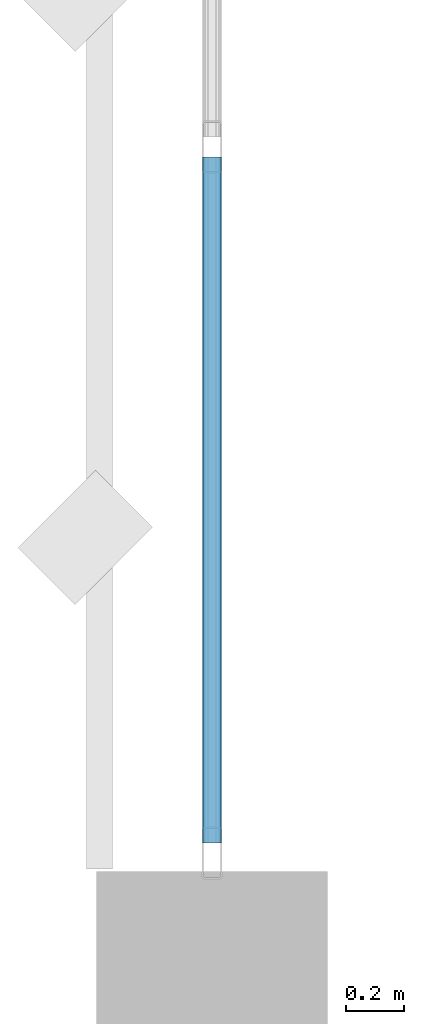
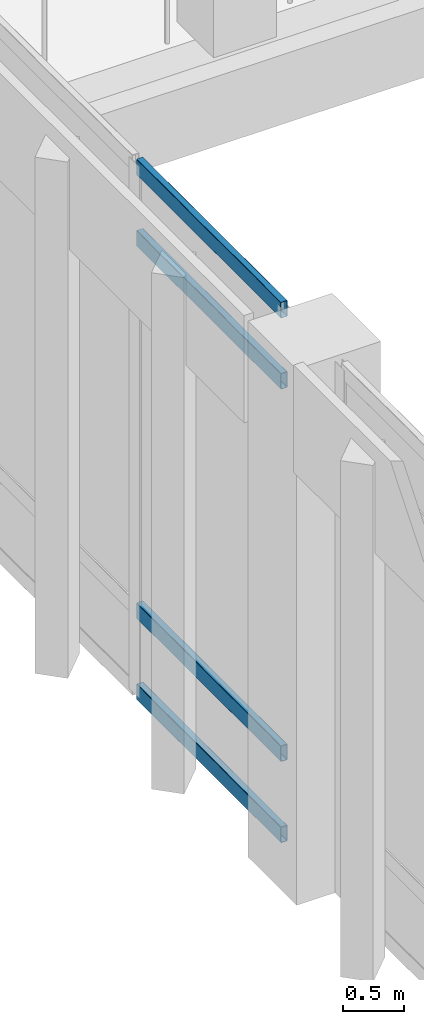
# One storey, part 13 of 180: 4 members, 1 element without a shape of its own.
"""IFC4 building model written with IfcOpenShell, lengths in metres."""

import ifcopenshell
import ifcopenshell.guid

model = None  # the IFC model being written
_history = None  # IfcOwnerHistory: only IFC2X3 demands one
_inside = {}  # id of a spatial element -> (the spatial element, [elements in it])
_under = {}  # id of a project, library or spatial element -> (it, [spatial elements below it])
_declared = {}  # id of a project -> (the project, [libraries it declares])
_typed = {}  # id of a type object -> (the type object, [elements of that type])
_made_of = {}  # id of a material, layer set ... -> (it, [elements and type objects made of it])


def new_model(schema):
    """Start an empty IFC model of exactly this schema.

    Asked for "IFC4X3", IfcOpenShell would pick the latest addendum, in which some entities
    have other attributes; the version numbers below select the first issue.
    IFC2X3 requires an IfcOwnerHistory on every rooted entity: one is made here for all.
    """
    global model, _history
    if schema == "IFC4X3":
        model = ifcopenshell.file(schema_version=(4, 3, 0, 0))
    else:
        model = ifcopenshell.file(schema=schema)
    _inside.clear()
    _under.clear()
    _declared.clear()
    _typed.clear()
    _made_of.clear()
    _history = None
    if model.schema == "IFC2X3":
        org = make("IfcOrganization", Name="unknown")
        user = make(
            "IfcPersonAndOrganization",
            ThePerson=make("IfcPerson", FamilyName="unknown"),
            TheOrganization=org,
        )
        app = make(
            "IfcApplication",
            ApplicationDeveloper=org,
            Version="unknown",
            ApplicationFullName="unknown",
            ApplicationIdentifier="unknown",
        )
        _history = make(
            "IfcOwnerHistory",
            OwningUser=user,
            OwningApplication=app,
            ChangeAction="ADDED",
            CreationDate=0,
        )
    return model


def make(cls, **values):
    """One entity of the class cls with the attributes given. An attribute that is None is left unset."""
    return model.create_entity(
        cls, **{name: value for name, value in values.items() if value is not None}
    )


def rooted(cls, **values):
    """An entity with a GlobalId (a new one), such as an element, a storey or a relation."""
    return make(cls, GlobalId=ifcopenshell.guid.new(), OwnerHistory=_history, **values)


def si_unit(unit_type, name, prefix=None):
    """IfcSIUnit, for example si_unit("LENGTHUNIT", "METRE", prefix="MILLI")."""
    return make("IfcSIUnit", UnitType=unit_type, Prefix=prefix, Name=name)


def assignment(units):
    """IfcUnitAssignment: the units of a project."""
    return None if units is None else make("IfcUnitAssignment", Units=units)


def point(xyz):
    """IfcCartesianPoint."""
    return None if xyz is None else make("IfcCartesianPoint", Coordinates=xyz)


def direction(xyz):
    """IfcDirection."""
    return None if xyz is None else make("IfcDirection", DirectionRatios=xyz)


def frame(location, z_axis=None, x_axis=None):
    """IfcAxis2Placement3D, a coordinate frame: its origin and axes. An axis left out is left unset."""
    return make(
        "IfcAxis2Placement3D",
        Location=point(location),
        Axis=direction(z_axis),
        RefDirection=direction(x_axis),
    )


def frame_2d(location, x_axis=None):
    """IfcAxis2Placement2D, a coordinate frame in the plane: its origin and x axis."""
    return make(
        "IfcAxis2Placement2D", Location=point(location), RefDirection=direction(x_axis)
    )


def origin():
    """The frame at (0, 0, 0) with its axes left unset."""
    return frame((0.0, 0.0, 0.0))


def origin_2d():
    """The frame at (0, 0) in the plane with its x axis left unset."""
    return frame_2d((0.0, 0.0))


def place(relative_to, where):
    """IfcLocalPlacement: puts the frame where relative to a parent placement (None: the world)."""
    return make(
        "IfcLocalPlacement", PlacementRelTo=relative_to, RelativePlacement=where
    )


def context(
    kind, dimensions, precision=None, world=None, true_north=None, identifier=None
):
    """IfcGeometricRepresentationContext, for example the 3D "Model" context."""
    return make(
        "IfcGeometricRepresentationContext",
        ContextIdentifier=identifier,
        ContextType=kind,
        CoordinateSpaceDimension=dimensions,
        Precision=precision,
        WorldCoordinateSystem=world,
        TrueNorth=true_north,
    )


def subcontext(parent, identifier, kind, view, scale=None):
    """IfcGeometricRepresentationSubContext, for example "Body" below "Model"."""
    return make(
        "IfcGeometricRepresentationSubContext",
        ContextIdentifier=identifier,
        ContextType=kind,
        ParentContext=parent,
        TargetScale=scale,
        TargetView=view,
    )


def project(units=None, contexts=None):
    """IfcProject with its units and contexts."""
    return rooted(
        "IfcProject",
        Name="project",
        RepresentationContexts=contexts,
        UnitsInContext=assignment(units),
    )


def spatial(cls, under=None, at=None, **own):
    """A site, building, storey or space (cls), placed at a placement, below another one or the project."""
    s = rooted(cls, ObjectPlacement=at, **own)
    if under is not None:
        _under.setdefault(under.id(), (under, []))[1].append(s)
    return s


def profile(cls, at=None, kind="AREA", **sizes):
    """A parametric profile (cls). Its sizes go by their IFC names, for example OverallWidth=200.0."""
    return make(cls, ProfileType=kind, Position=at, **sizes)


def hollow_rectangle(**sizes):
    """IfcRectangleHollowProfileDef."""
    return profile("IfcRectangleHollowProfileDef", **sizes)


def extrude(swept, where, along, depth):
    """IfcExtrudedAreaSolid: the profile swept, set in the frame where, extruded along a direction by depth."""
    return make(
        "IfcExtrudedAreaSolid",
        SweptArea=swept,
        Position=where,
        ExtrudedDirection=direction(along),
        Depth=depth,
    )


def shape(context_of_items, identifier, shape_type, items):
    """IfcShapeRepresentation: the items that make up one representation, for example the "Body"."""
    return make(
        "IfcShapeRepresentation",
        ContextOfItems=context_of_items,
        RepresentationIdentifier=identifier,
        RepresentationType=shape_type,
        Items=items,
    )


def material(Name=None, Category=None):
    """IfcMaterial."""
    return make("IfcMaterial", Name=Name, Category=Category)


def material_profile(
    of_material, cross_section, Name=None, Category=None, Priority=None
):
    """IfcMaterialProfile: a cross section and its material."""
    return make(
        "IfcMaterialProfile",
        Name=Name,
        Material=of_material,
        Profile=cross_section,
        Priority=Priority,
        Category=Category,
    )


def profile_set(profiles, Name=None, composite=None):
    """IfcMaterialProfileSet."""
    return make(
        "IfcMaterialProfileSet",
        Name=Name,
        MaterialProfiles=profiles,
        CompositeProfile=composite,
    )


def made_of(thing, what):
    """Note that an element or type object is made of a material, layer set ...; save() writes the relation."""
    if what is not None:
        _made_of.setdefault(what.id(), (what, []))[1].append(thing)
    return thing


def type_object(cls, material=None, **own):
    """A type object (cls), such as IfcWallType, which elements share."""
    return made_of(rooted(cls, **own), material)


def element(
    cls,
    number,
    at=None,
    inside=None,
    cuts=None,
    type_object=None,
    material=None,
    context=None,
    identifier="Body",
    shape_type=None,
    held_by="IfcProductDefinitionShape",
    body=None,
    shapes=None,
    **own,
):
    """One element of the class cls, such as IfcWall. Its Tag is "e" and its number.

    at: its placement. inside: the storey or other place that contains it. cuts: it is an
    opening in that element (IfcRelVoidsElement). A single representation is given by context,
    identifier, shape_type and body (its items); several are given by shapes. held_by: the class
    of the entity that holds the representations. save() writes the other relations.
    """
    e = rooted(cls, Tag="e%d" % number, ObjectPlacement=at, **own)
    if body is not None:
        shapes = [shape(context, identifier, shape_type, body)]
    if shapes is not None:
        e.Representation = make(held_by, Representations=shapes)
    if inside is not None:
        _inside.setdefault(inside.id(), (inside, []))[1].append(e)
    if cuts is not None:
        rooted(
            "IfcRelVoidsElement", RelatingBuildingElement=cuts, RelatedOpeningElement=e
        )
    if type_object is not None:
        _typed.setdefault(type_object.id(), (type_object, []))[1].append(e)
    return made_of(e, material)


def aggregate(whole, parts):
    """IfcRelAggregates: a whole, such as a stair, and the parts it consists of."""
    return rooted("IfcRelAggregates", RelatingObject=whole, RelatedObjects=parts)


def save(model, path):
    """Write the relations noted so far, then the file.

    IfcRelAggregates (storeys below a building ...), IfcRelContainedInSpatialStructure (elements
    in a storey), IfcRelDefinesByType, IfcRelAssociatesMaterial and IfcRelDeclares: one each for
    every whole, place, type object, material and project.
    """
    for whole, parts in _under.values():
        aggregate(whole, parts)
    for where, things in _inside.values():
        rooted(
            "IfcRelContainedInSpatialStructure",
            RelatedElements=things,
            RelatingStructure=where,
        )
    for kind, things in _typed.values():
        rooted("IfcRelDefinesByType", RelatedObjects=things, RelatingType=kind)
    for what, things in _made_of.values():
        rooted("IfcRelAssociatesMaterial", RelatedObjects=things, RelatingMaterial=what)
    for by, libraries in _declared.values():
        rooted("IfcRelDeclares", RelatingContext=by, RelatedDefinitions=libraries)
    model.write(path)


model = new_model("IFC4")

# Units and contexts
model_context = context("Model", 3, precision=1e-05, world=origin(), true_north=direction((0.0, 1.0)))
body_context = subcontext(model_context, "Body", "Model", "MODEL_VIEW")
ifc_project = project(units=[si_unit("LENGTHUNIT", "METRE"), si_unit("AREAUNIT", "SQUARE_METRE"), si_unit("VOLUMEUNIT", "CUBIC_METRE"), si_unit("PLANEANGLEUNIT", "RADIAN"), si_unit("MASSUNIT", "GRAM", prefix="KILO")], contexts=[model_context])

# Site, building, storey
site_placement = place(None, origin())
site = spatial("IfcSite", under=ifc_project, at=site_placement, CompositionType="ELEMENT")
building_placement = place(site_placement, origin())
building = spatial("IfcBuilding", under=site, at=building_placement, Name="Lusvemor Sports Hall", CompositionType="ELEMENT")
storey_placement = place(building_placement, frame((0.0, 0.0, 5.39990234375)))
storey = spatial("IfcBuildingStorey", under=building, at=storey_placement, Name="L01", CompositionType="ELEMENT", Elevation=5.39990234375)

# Curtain wall, members
ifc_material_1 = material(Name="Thermally broken bronze-anodized aluminium", Category="aluminium")
curtain_wall_type = type_object("IfcCurtainWallType", Name="CW_COURT_C", PredefinedType="NOTDEFINED", material=ifc_material_1)
curtain_wall_placement = place(storey_placement, origin())
curtain_wall = element("IfcCurtainWall", 1, at=curtain_wall_placement, inside=storey, type_object=curtain_wall_type, Name="Curtain Wall CW-V1W-L01-4", PredefinedType="NOTDEFINED")
ifc_material_2 = material(Name="Thermally broken bronze-anodized aluminium", Category="aluminium")
ifc_material_profile = material_profile(ifc_material_2, hollow_rectangle(XDim=0.06494140625, YDim=0.159912109375, WallThickness=0.00390625, InnerFilletRadius=0.00390625, OuterFilletRadius=0.008056640625, at=origin_2d()), Name="CWTRN160x65x4")
ifc_profile_set = profile_set([ifc_material_profile], Name="Thermally broken bronze-anodized aluminium")
member_type = type_object("IfcMemberType", Name="CW_TRN_A", PredefinedType="USERDEFINED", material=ifc_profile_set)
member_1_placement = place(storey_placement, frame((0.0, 29.300048828125, 0.03271484375), z_axis=(0.0, 1.0, 0.0), x_axis=(-1.0, 0.0, 0.0)))
member_1 = element("IfcMember", 2, at=member_1_placement, type_object=member_type, Name="CW03 transom 1.1", ObjectType="TRANSOM", PredefinedType="USERDEFINED", context=body_context, shape_type="SweptSolid", body=[
    extrude(hollow_rectangle(XDim=0.06494140625, YDim=0.159912109375, WallThickness=0.00390625, InnerFilletRadius=0.00390625, OuterFilletRadius=0.008056640625, at=origin_2d()), origin(), (0.0, 0.0, 1.0), 2.3798828125),
])
member_2_placement = place(storey_placement, frame((0.0, 29.300048828125, 0.85009765625), z_axis=(0.0, 1.0, 0.0), x_axis=(-1.0, 0.0, 0.0)))
member_2 = element("IfcMember", 3, at=member_2_placement, type_object=member_type, Name="CW03 transom 1.2", ObjectType="TRANSOM", PredefinedType="USERDEFINED", context=body_context, shape_type="SweptSolid", body=[
    extrude(hollow_rectangle(XDim=0.06494140625, YDim=0.159912109375, WallThickness=0.00390625, InnerFilletRadius=0.00390625, OuterFilletRadius=0.008056640625, at=origin_2d()), origin(), (0.0, 0.0, 1.0), 2.3798828125),
])
member_3_placement = place(storey_placement, frame((0.0, 29.300048828125, 4.60009765625), z_axis=(0.0, 1.0, 0.0), x_axis=(-1.0, 0.0, 0.0)))
member_3 = element("IfcMember", 4, at=member_3_placement, type_object=member_type, Name="CW03 transom 1.3", ObjectType="TRANSOM", PredefinedType="USERDEFINED", context=body_context, shape_type="SweptSolid", body=[
    extrude(hollow_rectangle(XDim=0.06494140625, YDim=0.159912109375, WallThickness=0.00390625, InnerFilletRadius=0.00390625, OuterFilletRadius=0.008056640625, at=origin_2d()), origin(), (0.0, 0.0, 1.0), 2.3798828125),
])
member_4_placement = place(storey_placement, frame((0.0, 29.300048828125, 5.317626953125), z_axis=(0.0, 1.0, 0.0), x_axis=(-1.0, 0.0, 0.0)))
member_4 = element("IfcMember", 5, at=member_4_placement, type_object=member_type, Name="CW03 transom 1.4", ObjectType="TRANSOM", PredefinedType="USERDEFINED", context=body_context, shape_type="SweptSolid", body=[
    extrude(hollow_rectangle(XDim=0.06494140625, YDim=0.159912109375, WallThickness=0.00390625, InnerFilletRadius=0.00390625, OuterFilletRadius=0.008056640625, at=origin_2d()), origin(), (0.0, 0.0, 1.0), 2.3798828125),
])
aggregate(curtain_wall, [member_1, member_2, member_3, member_4])

save(model, "model.ifc")
